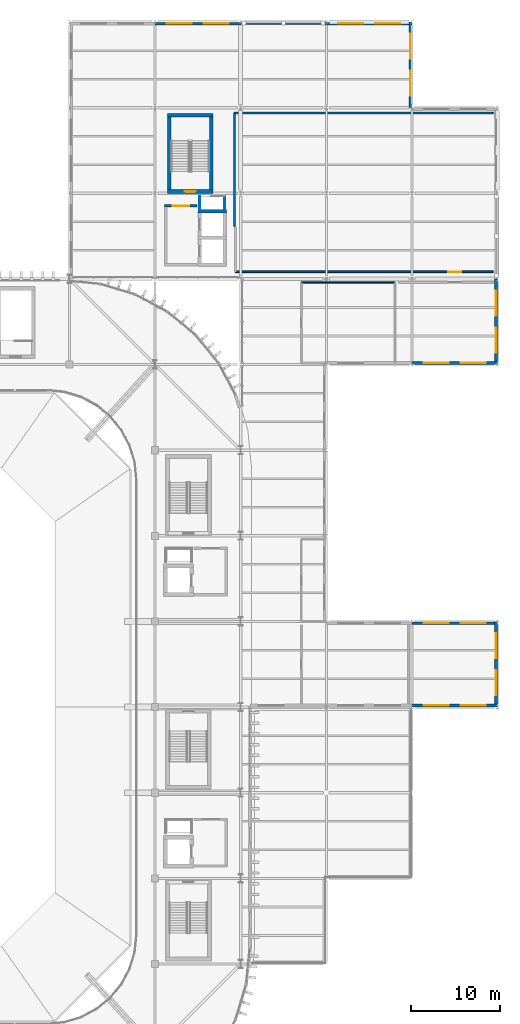
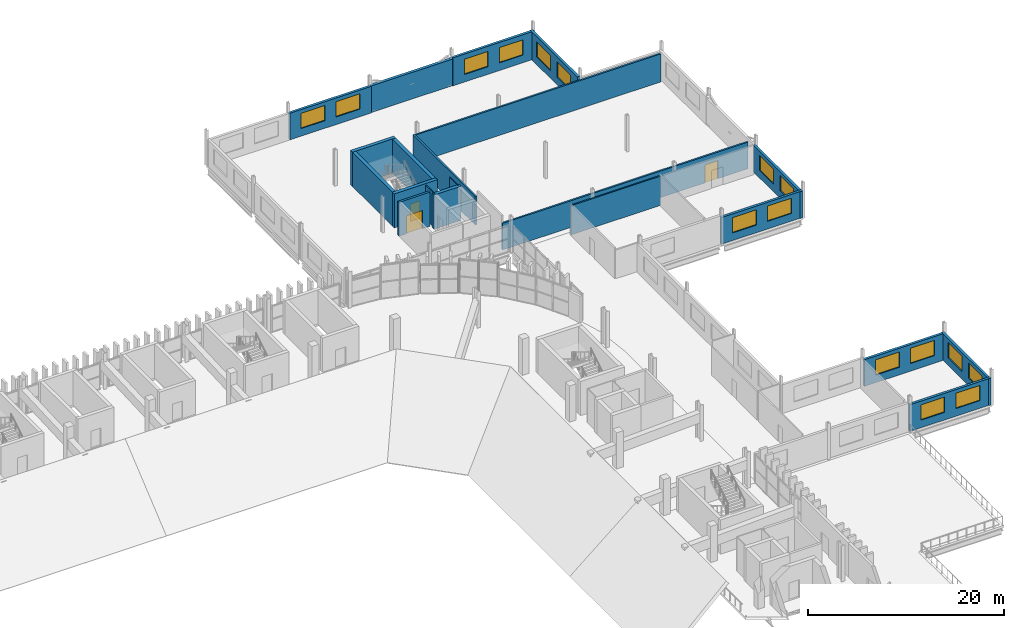
# One storey, part 46 of 69: 21 walls, 16 windows, 3 doors, 19 openings.
"""IFC4 building model written with IfcOpenShell, lengths in metres."""

from ifc_helpers import new_model, si_unit, direction, frame, frame_2d, origin, place, context, subcontext, project, spatial, rectangle, extrude, material, layer, layer_set, type_object, element, fill, save


model = new_model("IFC4")

# Units and contexts
model_context = context("Model", 3, precision=1e-05, world=origin(), true_north=direction((0.0, 1.0)))
body_context = subcontext(model_context, "Body", "Model", "MODEL_VIEW")
ifc_project = project(units=[si_unit("LENGTHUNIT", "METRE"), si_unit("AREAUNIT", "SQUARE_METRE"), si_unit("VOLUMEUNIT", "CUBIC_METRE"), si_unit("PLANEANGLEUNIT", "RADIAN"), si_unit("MASSUNIT", "GRAM", prefix="KILO")], contexts=[model_context])

# Site, building, storey
site_placement = place(None, origin())
site = spatial("IfcSite", under=ifc_project, at=site_placement, CompositionType="ELEMENT")
building_placement = place(site_placement, origin())
building = spatial("IfcBuilding", under=site, at=building_placement, Name="Caelomonte Colonnade Arena", CompositionType="ELEMENT")
storey_placement = place(building_placement, frame((0.0, 0.0, 18.60009765625)))
storey = spatial("IfcBuildingStorey", under=building, at=storey_placement, Name="L04", CompositionType="ELEMENT", Elevation=18.60009765625)

# Wall, openings, windows
ifc_material_1 = material(Name="Precast concrete C40/50", Category="concrete")
ifc_layer_1 = layer(ifc_material_1, 0.2900390625)
ifc_layer_set_1 = layer_set([ifc_layer_1], Name="Precast concrete C40/50")
wall_type_1 = type_object("IfcWallType", Name="ENV-WL-EXT29", PredefinedType="SOLIDWALL", material=ifc_layer_set_1)
wall_1_placement = place(storey_placement, frame((182.39990234375, 67.3798828125, 0.0), z_axis=(0.0, 0.0, 1.0), x_axis=(1.0, 0.0, 0.0)))
wall_1 = element("IfcWall", 1, at=wall_1_placement, inside=storey, type_object=wall_type_1, Name="L04 exterior wall EW-L04-0308", PredefinedType="SOLIDWALL", context=body_context, shape_type="SweptSolid", body=[
    extrude(rectangle(XDim=9.60009765625, YDim=0.2900390625, at=frame_2d((4.800048828125, 0.0))), origin(), (0.0, 0.0, 1.0), 3.312744140625),
])
opening_1_placement = place(wall_1_placement, frame((4.13330078125, 0.0, 0.949951171875), z_axis=(0.0, 0.0, 1.0), x_axis=(-1.0, 0.0, 0.0)))
opening_1 = element("IfcOpeningElement", 2, at=opening_1_placement, cuts=wall_1, Name="Opening WN-07", PredefinedType="OPENING", context=body_context, shape_type="SweptSolid", body=[
    extrude(rectangle(XDim=2.800048828125, YDim=1.89990234375, at=frame_2d((1.39990234375, 0.949951171875))), frame((0.0, 0.155029296875, 0.0), z_axis=(0.0, -1.0, 0.0), x_axis=(1.0, 0.0, 0.0)), (0.0, 0.0, 1.0), 0.31005859375),
])
opening_2_placement = place(wall_1_placement, frame((8.266845703125, 0.0, 0.949951171875), z_axis=(0.0, 0.0, 1.0), x_axis=(-1.0, 0.0, 0.0)))
opening_2 = element("IfcOpeningElement", 3, at=opening_2_placement, cuts=wall_1, Name="Opening WN-07", PredefinedType="OPENING", context=body_context, shape_type="SweptSolid", body=[
    extrude(rectangle(XDim=2.800048828125, YDim=1.89990234375, at=frame_2d((1.39990234375, 0.949951171875))), frame((0.0, 0.155029296875, 0.0), z_axis=(0.0, -1.0, 0.0), x_axis=(1.0, 0.0, 0.0)), (0.0, 0.0, 1.0), 0.31005859375),
])
ifc_material_2 = material(Name="Solar-control bronze low-E double glazing", Category="glass")
window_type = type_object("IfcWindowType", Name="ENV-WN-V4D", PartitioningType="DOUBLE_PANEL_VERTICAL", PredefinedType="WINDOW", material=ifc_material_2)
window_1_placement = place(opening_1_placement, origin())
window_1 = element("IfcWindow", 4, at=window_1_placement, inside=storey, type_object=window_type, Name="L04 facade window 250", OverallHeight=1.89990234375, OverallWidth=2.800048828125, PartitioningType="SINGLE_PANEL", PredefinedType="WINDOW", context=body_context, shape_type="SweptSolid", body=[
    extrude(rectangle(XDim=2.800048828125, YDim=1.89990234375, at=frame_2d((1.39990234375, 0.949951171875))), frame((0.0, 0.030029296875, 0.0), z_axis=(0.0, -1.0, 0.0), x_axis=(1.0, 0.0, 0.0)), (0.0, 0.0, 1.0), 0.06005859375),
])
fill(opening_1, window_1)
window_2_placement = place(opening_2_placement, origin())
window_2 = element("IfcWindow", 5, at=window_2_placement, inside=storey, type_object=window_type, Name="L04 facade window 251", OverallHeight=1.89990234375, OverallWidth=2.800048828125, PartitioningType="SINGLE_PANEL", PredefinedType="WINDOW", context=body_context, shape_type="SweptSolid", body=[
    extrude(rectangle(XDim=2.800048828125, YDim=1.89990234375, at=frame_2d((1.39990234375, 0.949951171875))), frame((0.0, 0.030029296875, 0.0), z_axis=(0.0, -1.0, 0.0), x_axis=(1.0, 0.0, 0.0)), (0.0, 0.0, 1.0), 0.06005859375),
])
fill(opening_2, window_2)

wall_2_placement = place(storey_placement, frame((191.820068359375, 67.199951171875, 0.0), z_axis=(0.0, 0.0, 1.0), x_axis=(0.0, 1.0, 0.0)))
wall_2 = element("IfcWall", 6, at=wall_2_placement, inside=storey, type_object=wall_type_1, Name="L04 exterior wall EW-L04-0309", PredefinedType="SOLIDWALL", context=body_context, shape_type="SweptSolid", body=[
    extrude(rectangle(XDim=9.60009765625, YDim=0.2900390625, at=frame_2d((4.800048828125, 0.0))), origin(), (0.0, 0.0, 1.0), 3.312744140625),
])
opening_3_placement = place(wall_2_placement, frame((4.13330078125, 0.0, 0.949951171875), z_axis=(0.0, 0.0, 1.0), x_axis=(-1.0, 0.0, 0.0)))
opening_3 = element("IfcOpeningElement", 7, at=opening_3_placement, cuts=wall_2, Name="Opening WN-07", PredefinedType="OPENING", context=body_context, shape_type="SweptSolid", body=[
    extrude(rectangle(XDim=2.800048828125, YDim=1.89990234375, at=frame_2d((1.39990234375, 0.949951171875))), frame((0.0, 0.155029296875, 0.0), z_axis=(0.0, -1.0, 0.0), x_axis=(1.0, 0.0, 0.0)), (0.0, 0.0, 1.0), 0.31005859375),
])
opening_4_placement = place(wall_2_placement, frame((8.266845703125, 0.0, 0.949951171875), z_axis=(0.0, 0.0, 1.0), x_axis=(-1.0, 0.0, 0.0)))
opening_4 = element("IfcOpeningElement", 8, at=opening_4_placement, cuts=wall_2, Name="Opening WN-07", PredefinedType="OPENING", context=body_context, shape_type="SweptSolid", body=[
    extrude(rectangle(XDim=2.800048828125, YDim=1.89990234375, at=frame_2d((1.39990234375, 0.949951171875))), frame((0.0, 0.155029296875, 0.0), z_axis=(0.0, -1.0, 0.0), x_axis=(1.0, 0.0, 0.0)), (0.0, 0.0, 1.0), 0.31005859375),
])
window_3_placement = place(opening_3_placement, origin())
window_3 = element("IfcWindow", 9, at=window_3_placement, inside=storey, type_object=window_type, Name="L04 facade window 252", OverallHeight=1.89990234375, OverallWidth=2.800048828125, PartitioningType="SINGLE_PANEL", PredefinedType="WINDOW", context=body_context, shape_type="SweptSolid", body=[
    extrude(rectangle(XDim=2.800048828125, YDim=1.89990234375, at=frame_2d((1.39990234375, 0.949951171875))), frame((0.0, 0.030029296875, 0.0), z_axis=(0.0, -1.0, 0.0), x_axis=(1.0, 0.0, 0.0)), (0.0, 0.0, 1.0), 0.06005859375),
])
fill(opening_3, window_3)
window_4_placement = place(opening_4_placement, origin())
window_4 = element("IfcWindow", 10, at=window_4_placement, inside=storey, type_object=window_type, Name="L04 facade window 253", OverallHeight=1.89990234375, OverallWidth=2.800048828125, PartitioningType="SINGLE_PANEL", PredefinedType="WINDOW", context=body_context, shape_type="SweptSolid", body=[
    extrude(rectangle(XDim=2.800048828125, YDim=1.89990234375, at=frame_2d((1.39990234375, 0.949951171875))), frame((0.0, 0.030029296875, 0.0), z_axis=(0.0, -1.0, 0.0), x_axis=(1.0, 0.0, 0.0)), (0.0, 0.0, 1.0), 0.06005859375),
])
fill(opening_4, window_4)

wall_3_placement = place(storey_placement, frame((192.0, 76.6201171875, 0.0), z_axis=(0.0, 0.0, 1.0), x_axis=(-1.0, 0.0, 0.0)))
wall_3 = element("IfcWall", 11, at=wall_3_placement, inside=storey, type_object=wall_type_1, Name="L04 exterior wall EW-L04-0310", PredefinedType="SOLIDWALL", context=body_context, shape_type="SweptSolid", body=[
    extrude(rectangle(XDim=9.60009765625, YDim=0.2900390625, at=frame_2d((4.800048828125, 0.0))), origin(), (0.0, 0.0, 1.0), 3.312744140625),
])
opening_5_placement = place(wall_3_placement, frame((4.13330078125, 0.0, 0.949951171875), z_axis=(0.0, 0.0, 1.0), x_axis=(-1.0, 0.0, 0.0)))
opening_5 = element("IfcOpeningElement", 12, at=opening_5_placement, cuts=wall_3, Name="Opening WN-07", PredefinedType="OPENING", context=body_context, shape_type="SweptSolid", body=[
    extrude(rectangle(XDim=2.800048828125, YDim=1.89990234375, at=frame_2d((1.39990234375, 0.949951171875))), frame((0.0, 0.155029296875, 0.0), z_axis=(0.0, -1.0, 0.0), x_axis=(1.0, 0.0, 0.0)), (0.0, 0.0, 1.0), 0.31005859375),
])
opening_6_placement = place(wall_3_placement, frame((8.266845703125, 0.0, 0.949951171875), z_axis=(0.0, 0.0, 1.0), x_axis=(-1.0, 0.0, 0.0)))
opening_6 = element("IfcOpeningElement", 13, at=opening_6_placement, cuts=wall_3, Name="Opening WN-07", PredefinedType="OPENING", context=body_context, shape_type="SweptSolid", body=[
    extrude(rectangle(XDim=2.800048828125, YDim=1.89990234375, at=frame_2d((1.39990234375, 0.949951171875))), frame((0.0, 0.155029296875, 0.0), z_axis=(0.0, -1.0, 0.0), x_axis=(1.0, 0.0, 0.0)), (0.0, 0.0, 1.0), 0.31005859375),
])
window_5_placement = place(opening_5_placement, origin())
window_5 = element("IfcWindow", 14, at=window_5_placement, inside=storey, type_object=window_type, Name="L04 facade window 254", OverallHeight=1.89990234375, OverallWidth=2.800048828125, PartitioningType="SINGLE_PANEL", PredefinedType="WINDOW", context=body_context, shape_type="SweptSolid", body=[
    extrude(rectangle(XDim=2.800048828125, YDim=1.89990234375, at=frame_2d((1.39990234375, 0.949951171875))), frame((0.0, 0.030029296875, 0.0), z_axis=(0.0, -1.0, 0.0), x_axis=(1.0, 0.0, 0.0)), (0.0, 0.0, 1.0), 0.06005859375),
])
fill(opening_5, window_5)
window_6_placement = place(opening_6_placement, origin())
window_6 = element("IfcWindow", 15, at=window_6_placement, inside=storey, type_object=window_type, Name="L04 facade window 255", OverallHeight=1.89990234375, OverallWidth=2.800048828125, PartitioningType="SINGLE_PANEL", PredefinedType="WINDOW", context=body_context, shape_type="SweptSolid", body=[
    extrude(rectangle(XDim=2.800048828125, YDim=1.89990234375, at=frame_2d((1.39990234375, 0.949951171875))), frame((0.0, 0.030029296875, 0.0), z_axis=(0.0, -1.0, 0.0), x_axis=(1.0, 0.0, 0.0)), (0.0, 0.0, 1.0), 0.06005859375),
])
fill(opening_6, window_6)

wall_4_placement = place(storey_placement, frame((182.39990234375, 105.780029296875, 0.0), z_axis=(0.0, 0.0, 1.0), x_axis=(1.0, 0.0, 0.0)))
wall_4 = element("IfcWall", 16, at=wall_4_placement, inside=storey, type_object=wall_type_1, Name="L04 exterior wall EW-L04-0316", PredefinedType="SOLIDWALL", context=body_context, shape_type="SweptSolid", body=[
    extrude(rectangle(XDim=9.60009765625, YDim=0.2900390625, at=frame_2d((4.800048828125, 0.0))), origin(), (0.0, 0.0, 1.0), 3.312744140625),
])
opening_7_placement = place(wall_4_placement, frame((4.13330078125, 0.0, 0.949951171875), z_axis=(0.0, 0.0, 1.0), x_axis=(-1.0, 0.0, 0.0)))
opening_7 = element("IfcOpeningElement", 17, at=opening_7_placement, cuts=wall_4, Name="Opening WN-07", PredefinedType="OPENING", context=body_context, shape_type="SweptSolid", body=[
    extrude(rectangle(XDim=2.800048828125, YDim=1.89990234375, at=frame_2d((1.39990234375, 0.949951171875))), frame((0.0, 0.155029296875, 0.0), z_axis=(0.0, -1.0, 0.0), x_axis=(1.0, 0.0, 0.0)), (0.0, 0.0, 1.0), 0.31005859375),
])
opening_8_placement = place(wall_4_placement, frame((8.266845703125, 0.0, 0.949951171875), z_axis=(0.0, 0.0, 1.0), x_axis=(-1.0, 0.0, 0.0)))
opening_8 = element("IfcOpeningElement", 18, at=opening_8_placement, cuts=wall_4, Name="Opening WN-07", PredefinedType="OPENING", context=body_context, shape_type="SweptSolid", body=[
    extrude(rectangle(XDim=2.800048828125, YDim=1.89990234375, at=frame_2d((1.39990234375, 0.949951171875))), frame((0.0, 0.155029296875, 0.0), z_axis=(0.0, -1.0, 0.0), x_axis=(1.0, 0.0, 0.0)), (0.0, 0.0, 1.0), 0.31005859375),
])
window_7_placement = place(opening_7_placement, origin())
window_7 = element("IfcWindow", 19, at=window_7_placement, inside=storey, type_object=window_type, Name="L04 facade window 265", OverallHeight=1.89990234375, OverallWidth=2.800048828125, PartitioningType="SINGLE_PANEL", PredefinedType="WINDOW", context=body_context, shape_type="SweptSolid", body=[
    extrude(rectangle(XDim=2.800048828125, YDim=1.89990234375, at=frame_2d((1.39990234375, 0.949951171875))), frame((0.0, 0.030029296875, 0.0), z_axis=(0.0, -1.0, 0.0), x_axis=(1.0, 0.0, 0.0)), (0.0, 0.0, 1.0), 0.06005859375),
])
fill(opening_7, window_7)
window_8_placement = place(opening_8_placement, origin())
window_8 = element("IfcWindow", 20, at=window_8_placement, inside=storey, type_object=window_type, Name="L04 facade window 266", OverallHeight=1.89990234375, OverallWidth=2.800048828125, PartitioningType="SINGLE_PANEL", PredefinedType="WINDOW", context=body_context, shape_type="SweptSolid", body=[
    extrude(rectangle(XDim=2.800048828125, YDim=1.89990234375, at=frame_2d((1.39990234375, 0.949951171875))), frame((0.0, 0.030029296875, 0.0), z_axis=(0.0, -1.0, 0.0), x_axis=(1.0, 0.0, 0.0)), (0.0, 0.0, 1.0), 0.06005859375),
])
fill(opening_8, window_8)

wall_5_placement = place(storey_placement, frame((191.820068359375, 105.60009765625, 0.0), z_axis=(0.0, 0.0, 1.0), x_axis=(0.0, 1.0, 0.0)))
wall_5 = element("IfcWall", 21, at=wall_5_placement, inside=storey, type_object=wall_type_1, Name="L04 exterior wall EW-L04-0317", PredefinedType="SOLIDWALL", context=body_context, shape_type="SweptSolid", body=[
    extrude(rectangle(XDim=9.599853515625, YDim=0.2900390625, at=frame_2d((4.7998046875, 0.0))), origin(), (0.0, 0.0, 1.0), 3.312744140625),
])
opening_9_placement = place(wall_5_placement, frame((4.13330078125, 0.0, 0.949951171875), z_axis=(0.0, 0.0, 1.0), x_axis=(-1.0, 0.0, 0.0)))
opening_9 = element("IfcOpeningElement", 22, at=opening_9_placement, cuts=wall_5, Name="Opening WN-07", PredefinedType="OPENING", context=body_context, shape_type="SweptSolid", body=[
    extrude(rectangle(XDim=2.800048828125, YDim=1.89990234375, at=frame_2d((1.39990234375, 0.949951171875))), frame((0.0, 0.155029296875, 0.0), z_axis=(0.0, -1.0, 0.0), x_axis=(1.0, 0.0, 0.0)), (0.0, 0.0, 1.0), 0.31005859375),
])
opening_10_placement = place(wall_5_placement, frame((8.266845703125, 0.0, 0.949951171875), z_axis=(0.0, 0.0, 1.0), x_axis=(-1.0, 0.0, 0.0)))
opening_10 = element("IfcOpeningElement", 23, at=opening_10_placement, cuts=wall_5, Name="Opening WN-07", PredefinedType="OPENING", context=body_context, shape_type="SweptSolid", body=[
    extrude(rectangle(XDim=2.800048828125, YDim=1.89990234375, at=frame_2d((1.39990234375, 0.949951171875))), frame((0.0, 0.155029296875, 0.0), z_axis=(0.0, -1.0, 0.0), x_axis=(1.0, 0.0, 0.0)), (0.0, 0.0, 1.0), 0.31005859375),
])
window_9_placement = place(opening_9_placement, origin())
window_9 = element("IfcWindow", 24, at=window_9_placement, inside=storey, type_object=window_type, Name="L04 facade window 267", OverallHeight=1.89990234375, OverallWidth=2.800048828125, PartitioningType="SINGLE_PANEL", PredefinedType="WINDOW", context=body_context, shape_type="SweptSolid", body=[
    extrude(rectangle(XDim=2.800048828125, YDim=1.89990234375, at=frame_2d((1.39990234375, 0.949951171875))), frame((0.0, 0.030029296875, 0.0), z_axis=(0.0, -1.0, 0.0), x_axis=(1.0, 0.0, 0.0)), (0.0, 0.0, 1.0), 0.06005859375),
])
fill(opening_9, window_9)
window_10_placement = place(opening_10_placement, origin())
window_10 = element("IfcWindow", 25, at=window_10_placement, inside=storey, type_object=window_type, Name="L04 facade window 268", OverallHeight=1.89990234375, OverallWidth=2.800048828125, PartitioningType="SINGLE_PANEL", PredefinedType="WINDOW", context=body_context, shape_type="SweptSolid", body=[
    extrude(rectangle(XDim=2.800048828125, YDim=1.89990234375, at=frame_2d((1.39990234375, 0.949951171875))), frame((0.0, 0.030029296875, 0.0), z_axis=(0.0, -1.0, 0.0), x_axis=(1.0, 0.0, 0.0)), (0.0, 0.0, 1.0), 0.06005859375),
])
fill(opening_10, window_10)

wall_6_placement = place(storey_placement, frame((182.219970703125, 134.39990234375, 0.0), z_axis=(0.0, 0.0, 1.0), x_axis=(0.0, 1.0, 0.0)))
wall_6 = element("IfcWall", 26, at=wall_6_placement, inside=storey, type_object=wall_type_1, Name="L04 exterior wall EW-L04-0321", PredefinedType="SOLIDWALL", context=body_context, shape_type="SweptSolid", body=[
    extrude(rectangle(XDim=9.60009765625, YDim=0.2900390625, at=frame_2d((4.800048828125, 0.0))), origin(), (0.0, 0.0, 1.0), 3.489990234375),
])
opening_11_placement = place(wall_6_placement, frame((4.13330078125, 0.0, 0.949951171875), z_axis=(0.0, 0.0, 1.0), x_axis=(-1.0, 0.0, 0.0)))
opening_11 = element("IfcOpeningElement", 27, at=opening_11_placement, cuts=wall_6, Name="Opening WN-07", PredefinedType="OPENING", context=body_context, shape_type="SweptSolid", body=[
    extrude(rectangle(XDim=2.800048828125, YDim=1.89990234375, at=frame_2d((1.39990234375, 0.949951171875))), frame((0.0, 0.155029296875, 0.0), z_axis=(0.0, -1.0, 0.0), x_axis=(1.0, 0.0, 0.0)), (0.0, 0.0, 1.0), 0.31005859375),
])
opening_12_placement = place(wall_6_placement, frame((8.266845703125, 0.0, 0.949951171875), z_axis=(0.0, 0.0, 1.0), x_axis=(-1.0, 0.0, 0.0)))
opening_12 = element("IfcOpeningElement", 28, at=opening_12_placement, cuts=wall_6, Name="Opening WN-07", PredefinedType="OPENING", context=body_context, shape_type="SweptSolid", body=[
    extrude(rectangle(XDim=2.800048828125, YDim=1.89990234375, at=frame_2d((1.39990234375, 0.949951171875))), frame((0.0, 0.155029296875, 0.0), z_axis=(0.0, -1.0, 0.0), x_axis=(1.0, 0.0, 0.0)), (0.0, 0.0, 1.0), 0.31005859375),
])
window_11_placement = place(opening_11_placement, origin())
window_11 = element("IfcWindow", 29, at=window_11_placement, inside=storey, type_object=window_type, Name="L04 facade window 273", OverallHeight=1.89990234375, OverallWidth=2.800048828125, PartitioningType="SINGLE_PANEL", PredefinedType="WINDOW", context=body_context, shape_type="SweptSolid", body=[
    extrude(rectangle(XDim=2.800048828125, YDim=1.89990234375, at=frame_2d((1.39990234375, 0.949951171875))), frame((0.0, 0.030029296875, 0.0), z_axis=(0.0, -1.0, 0.0), x_axis=(1.0, 0.0, 0.0)), (0.0, 0.0, 1.0), 0.06005859375),
])
fill(opening_11, window_11)
window_12_placement = place(opening_12_placement, origin())
window_12 = element("IfcWindow", 30, at=window_12_placement, inside=storey, type_object=window_type, Name="L04 facade window 274", OverallHeight=1.89990234375, OverallWidth=2.800048828125, PartitioningType="SINGLE_PANEL", PredefinedType="WINDOW", context=body_context, shape_type="SweptSolid", body=[
    extrude(rectangle(XDim=2.800048828125, YDim=1.89990234375, at=frame_2d((1.39990234375, 0.949951171875))), frame((0.0, 0.030029296875, 0.0), z_axis=(0.0, -1.0, 0.0), x_axis=(1.0, 0.0, 0.0)), (0.0, 0.0, 1.0), 0.06005859375),
])
fill(opening_12, window_12)

wall_7_placement = place(storey_placement, frame((182.39990234375, 143.820068359375, 0.0), z_axis=(0.0, 0.0, 1.0), x_axis=(-1.0, 0.0, 0.0)))
wall_7 = element("IfcWall", 31, at=wall_7_placement, inside=storey, type_object=wall_type_1, Name="L04 exterior wall EW-L04-0322", PredefinedType="SOLIDWALL", context=body_context, shape_type="SweptSolid", body=[
    extrude(rectangle(XDim=9.599853515625, YDim=0.2900390625, at=frame_2d((4.7998046875, 0.0))), origin(), (0.0, 0.0, 1.0), 3.489990234375),
])
opening_13_placement = place(wall_7_placement, frame((4.13330078125, 0.0, 0.949951171875), z_axis=(0.0, 0.0, 1.0), x_axis=(-1.0, 0.0, 0.0)))
opening_13 = element("IfcOpeningElement", 32, at=opening_13_placement, cuts=wall_7, Name="Opening WN-07", PredefinedType="OPENING", context=body_context, shape_type="SweptSolid", body=[
    extrude(rectangle(XDim=2.800048828125, YDim=1.89990234375, at=frame_2d((1.39990234375, 0.949951171875))), frame((0.0, 0.155029296875, 0.0), z_axis=(0.0, -1.0, 0.0), x_axis=(1.0, 0.0, 0.0)), (0.0, 0.0, 1.0), 0.31005859375),
])
opening_14_placement = place(wall_7_placement, frame((8.266845703125, 0.0, 0.949951171875), z_axis=(0.0, 0.0, 1.0), x_axis=(-1.0, 0.0, 0.0)))
opening_14 = element("IfcOpeningElement", 33, at=opening_14_placement, cuts=wall_7, Name="Opening WN-07", PredefinedType="OPENING", context=body_context, shape_type="SweptSolid", body=[
    extrude(rectangle(XDim=2.800048828125, YDim=1.89990234375, at=frame_2d((1.39990234375, 0.949951171875))), frame((0.0, 0.155029296875, 0.0), z_axis=(0.0, -1.0, 0.0), x_axis=(1.0, 0.0, 0.0)), (0.0, 0.0, 1.0), 0.31005859375),
])
window_13_placement = place(opening_13_placement, origin())
window_13 = element("IfcWindow", 34, at=window_13_placement, inside=storey, type_object=window_type, Name="L04 facade window 275", OverallHeight=1.89990234375, OverallWidth=2.800048828125, PartitioningType="SINGLE_PANEL", PredefinedType="WINDOW", context=body_context, shape_type="SweptSolid", body=[
    extrude(rectangle(XDim=2.800048828125, YDim=1.89990234375, at=frame_2d((1.39990234375, 0.949951171875))), frame((0.0, 0.030029296875, 0.0), z_axis=(0.0, -1.0, 0.0), x_axis=(1.0, 0.0, 0.0)), (0.0, 0.0, 1.0), 0.06005859375),
])
fill(opening_13, window_13)
window_14_placement = place(opening_14_placement, origin())
window_14 = element("IfcWindow", 35, at=window_14_placement, inside=storey, type_object=window_type, Name="L04 facade window 276", OverallHeight=1.89990234375, OverallWidth=2.800048828125, PartitioningType="SINGLE_PANEL", PredefinedType="WINDOW", context=body_context, shape_type="SweptSolid", body=[
    extrude(rectangle(XDim=2.800048828125, YDim=1.89990234375, at=frame_2d((1.39990234375, 0.949951171875))), frame((0.0, 0.030029296875, 0.0), z_axis=(0.0, -1.0, 0.0), x_axis=(1.0, 0.0, 0.0)), (0.0, 0.0, 1.0), 0.06005859375),
])
fill(opening_14, window_14)

wall_8_placement = place(storey_placement, frame((163.199951171875, 143.820068359375, 0.0), z_axis=(0.0, 0.0, 1.0), x_axis=(-1.0, 0.0, 0.0)))
wall_8 = element("IfcWall", 36, at=wall_8_placement, inside=storey, type_object=wall_type_1, Name="L04 exterior wall EW-L04-0324", PredefinedType="SOLIDWALL", context=body_context, shape_type="SweptSolid", body=[
    extrude(rectangle(XDim=9.599853515625, YDim=0.2900390625, at=frame_2d((4.7998046875, 0.0))), origin(), (0.0, 0.0, 1.0), 3.312744140625),
])
opening_15_placement = place(wall_8_placement, frame((4.13330078125, 0.0, 0.949951171875), z_axis=(0.0, 0.0, 1.0), x_axis=(-1.0, 0.0, 0.0)))
opening_15 = element("IfcOpeningElement", 37, at=opening_15_placement, cuts=wall_8, Name="Opening WN-07", PredefinedType="OPENING", context=body_context, shape_type="SweptSolid", body=[
    extrude(rectangle(XDim=2.800048828125, YDim=1.89990234375, at=frame_2d((1.39990234375, 0.949951171875))), frame((0.0, 0.155029296875, 0.0), z_axis=(0.0, -1.0, 0.0), x_axis=(1.0, 0.0, 0.0)), (0.0, 0.0, 1.0), 0.31005859375),
])
opening_16_placement = place(wall_8_placement, frame((8.266845703125, 0.0, 0.949951171875), z_axis=(0.0, 0.0, 1.0), x_axis=(-1.0, 0.0, 0.0)))
opening_16 = element("IfcOpeningElement", 38, at=opening_16_placement, cuts=wall_8, Name="Opening WN-07", PredefinedType="OPENING", context=body_context, shape_type="SweptSolid", body=[
    extrude(rectangle(XDim=2.800048828125, YDim=1.89990234375, at=frame_2d((1.39990234375, 0.949951171875))), frame((0.0, 0.155029296875, 0.0), z_axis=(0.0, -1.0, 0.0), x_axis=(1.0, 0.0, 0.0)), (0.0, 0.0, 1.0), 0.31005859375),
])
window_15_placement = place(opening_15_placement, origin())
window_15 = element("IfcWindow", 39, at=window_15_placement, inside=storey, type_object=window_type, Name="L04 facade window 277", OverallHeight=1.89990234375, OverallWidth=2.800048828125, PartitioningType="SINGLE_PANEL", PredefinedType="WINDOW", context=body_context, shape_type="SweptSolid", body=[
    extrude(rectangle(XDim=2.800048828125, YDim=1.89990234375, at=frame_2d((1.39990234375, 0.949951171875))), frame((0.0, 0.030029296875, 0.0), z_axis=(0.0, -1.0, 0.0), x_axis=(1.0, 0.0, 0.0)), (0.0, 0.0, 1.0), 0.06005859375),
])
fill(opening_15, window_15)
window_16_placement = place(opening_16_placement, origin())
window_16 = element("IfcWindow", 40, at=window_16_placement, inside=storey, type_object=window_type, Name="L04 facade window 278", OverallHeight=1.89990234375, OverallWidth=2.800048828125, PartitioningType="SINGLE_PANEL", PredefinedType="WINDOW", context=body_context, shape_type="SweptSolid", body=[
    extrude(rectangle(XDim=2.800048828125, YDim=1.89990234375, at=frame_2d((1.39990234375, 0.949951171875))), frame((0.0, 0.030029296875, 0.0), z_axis=(0.0, -1.0, 0.0), x_axis=(1.0, 0.0, 0.0)), (0.0, 0.0, 1.0), 0.06005859375),
])
fill(opening_16, window_16)

# Wall
ifc_layer_2 = layer(ifc_material_1, 0.330078125)
ifc_layer_set_2 = layer_set([ifc_layer_2], Name="Precast concrete C40/50")
wall_type_2 = type_object("IfcWallType", Name="ENV-WL-EXT33", PredefinedType="SOLIDWALL", material=ifc_layer_set_2)
wall_9_placement = place(storey_placement, frame((172.800048828125, 143.89990234375, 0.0), z_axis=(0.0, 0.0, 1.0), x_axis=(-1.0, 0.0, 0.0)))
element("IfcWall", 41, at=wall_9_placement, inside=storey, type_object=wall_type_2, Name="L04 exterior wall EW-L04-0323", PredefinedType="SOLIDWALL", context=body_context, shape_type="SweptSolid", body=[
    extrude(rectangle(XDim=9.60009765625, YDim=0.330078125, at=frame_2d((4.800048828125, 0.0))), origin(), (0.0, 0.0, 1.0), 3.312744140625),
])

# Wall, opening, door
ifc_material_3 = material(Name="Concrete C40/50", Category="concrete")
ifc_layer_3 = layer(ifc_material_3, 0.260009765625)
ifc_layer_set_3 = layer_set([ifc_layer_3], Name="Concrete C40/50")
wall_type_3 = type_object("IfcWallType", Name="INT-WL-FW26", PredefinedType="SOLIDWALL", material=ifc_layer_set_3)
wall_10_placement = place(storey_placement, frame((158.330078125, 123.39990234375, 0.0), z_axis=(0.0, 0.0, 1.0), x_axis=(-1.0, 0.0, 0.0)))
wall_10 = element("IfcWall", 42, at=wall_10_placement, inside=storey, type_object=wall_type_3, Name="FW-C6-LB L04 north enclosure wall", PredefinedType="SOLIDWALL", context=body_context, shape_type="SweptSolid", body=[
    extrude(rectangle(XDim=3.66015625, YDim=0.260009765625, at=frame_2d((1.830078125, 0.0))), origin(), (0.0, 0.0, 1.0), 4.239990234375),
])
opening_17_placement = place(wall_10_placement, frame((2.755126953125, 0.0, 0.0), z_axis=(0.0, 0.0, 1.0), x_axis=(-1.0, 0.0, 0.0)))
opening_17 = element("IfcOpeningElement", 43, at=opening_17_placement, cuts=wall_10, Name="Opening FD-2", PredefinedType="OPENING", context=body_context, shape_type="SweptSolid", body=[
    extrude(rectangle(XDim=1.85009765625, YDim=2.25, at=frame_2d((0.925048828125, 1.125))), frame((0.0, 0.139892578125, 0.0), z_axis=(0.0, -1.0, 0.0), x_axis=(1.0, 0.0, 0.0)), (0.0, 0.0, 1.0), 0.280029296875),
])
ifc_material_4 = material(Name="Fire-rated double steel door", Category="steel")
door_type_1 = type_object("IfcDoorType", Name="INT-DR-FD90B", OperationType="DOUBLE_DOOR_SINGLE_SWING", PredefinedType="DOOR", material=ifc_material_4)
door_1_placement = place(opening_17_placement, origin())
door_1 = element("IfcDoor", 44, at=door_1_placement, inside=storey, type_object=door_type_1, Name="Core C6 L04 lobby fire door", OperationType="DOUBLE_DOOR_SINGLE_SWING", OverallHeight=2.25, OverallWidth=1.85009765625, PredefinedType="DOOR", context=body_context, shape_type="SweptSolid", body=[
    extrude(rectangle(XDim=1.85009765625, YDim=2.25, at=frame_2d((0.925048828125, 1.125))), frame((0.0, 0.02490234375, 0.0), z_axis=(0.0, -1.0, 0.0), x_axis=(1.0, 0.0, 0.0)), (0.0, 0.0, 1.0), 0.050048828125),
])
fill(opening_17, door_1)

# Walls
ifc_material_5 = material(Name="Service shaft lining partition")
ifc_layer_4 = layer(ifc_material_5, 0.10009765625)
ifc_layer_set_4 = layer_set([ifc_layer_4], Name="Service shaft lining partition")
wall_type_4 = type_object("IfcWallType", Name="INT-WL-PT10", PredefinedType="PARTITIONING", material=ifc_layer_set_4)
for number, where, z_axis, x_axis, name in (
    (45, (158.60009765625, 124.550048828125, 0.0), (0.0, 0.0, 1.0), (0.0, -1.0, 0.0), "FW-C6-RS L04 west enclosure wall"),
    (46, (161.39990234375, 122.85009765625, 0.0), (0.0, 0.0, 1.0), (0.0, 1.0, 0.0), "FW-C6-RS L04 east enclosure wall"),
):
    element("IfcWall", number, at=place(storey_placement, frame(where, z_axis=z_axis, x_axis=x_axis)), inside=storey, type_object=wall_type_4, Name=name, PredefinedType="PARTITIONING", context=body_context, shape_type="SweptSolid", body=[
        extrude(rectangle(XDim=1.699951171875, YDim=0.10009765625, at=frame_2d((0.85009765625, 0.0))), origin(), (0.0, 0.0, 1.0), 4.239990234375),
    ])
ifc_material_6 = material(Name="Moisture-resistant WC partition")
ifc_layer_5 = layer(ifc_material_6, 0.159912109375)
ifc_layer_set_5 = layer_set([ifc_layer_5], Name="Moisture-resistant WC partition")
wall_type_5 = type_object("IfcWallType", Name="INT-WL-PT16", PredefinedType="PARTITIONING", material=ifc_layer_set_5)
wall_11_placement = place(storey_placement, frame((170.0, 114.800048828125, 0.0), z_axis=(0.0, 0.0, 1.0), x_axis=(1.0, 0.0, 0.0)))
element("IfcWall", 47, at=wall_11_placement, inside=storey, type_object=wall_type_5, Name="L04 Upper Concourse Accessible WC partition 249", PredefinedType="PARTITIONING", context=body_context, shape_type="SweptSolid", body=[
    extrude(rectangle(XDim=10.5, YDim=0.159912109375, at=frame_2d((5.25, 0.0))), origin(), (0.0, 0.0, 1.0), 3.637939453125),
])
ifc_material_7 = material(Name="Fire-rated gypsum stud partition")
ifc_layer_6 = layer(ifc_material_7, 0.199951171875)
ifc_layer_set_6 = layer_set([ifc_layer_6], Name="Fire-rated gypsum stud partition")
wall_type_6 = type_object("IfcWallType", Name="INT-WL-PT20", PredefinedType="PARTITIONING", material=ifc_layer_set_6)
wall_12_placement = place(storey_placement, frame((162.5, 133.800048828125, 0.0), z_axis=(0.0, 0.0, 1.0), x_axis=(1.0, 0.0, 0.0)))
element("IfcWall", 48, at=wall_12_placement, inside=storey, type_object=wall_type_6, Name="L04 Upper Courtyard Fan Lounge partition 241", PredefinedType="PARTITIONING", context=body_context, shape_type="SweptSolid", body=[
    extrude(rectangle(XDim=29.0, YDim=0.199951171875, at=frame_2d((14.5, 0.0))), origin(), (0.0, 0.0, 1.0), 3.489990234375),
])

# Wall, opening, door
wall_13_placement = place(storey_placement, frame((191.5, 116.0, 0.0), z_axis=(0.0, 0.0, 1.0), x_axis=(-1.0, 0.0, 0.0)))
wall_13 = element("IfcWall", 49, at=wall_13_placement, inside=storey, type_object=wall_type_6, Name="L04 Upper Courtyard Fan Lounge partition 242", PredefinedType="PARTITIONING", context=body_context, shape_type="SweptSolid", body=[
    extrude(rectangle(XDim=28.8798828125, YDim=0.199951171875, at=frame_2d((14.43994140625, 0.0))), origin(), (0.0, 0.0, 1.0), 3.312744140625),
])
opening_18_placement = place(wall_13_placement, frame((3.550048828125, 0.0, 0.0), z_axis=(0.0, 0.0, 1.0), x_axis=(1.0, 0.0, 0.0)))
opening_18 = element("IfcOpeningElement", 50, at=opening_18_placement, cuts=wall_13, Name="Opening D-L04-066", PredefinedType="OPENING", context=body_context, shape_type="SweptSolid", body=[
    extrude(rectangle(XDim=1.5, YDim=2.25, at=frame_2d((0.75, 1.125))), frame((0.0, 0.10986328125, 0.0), z_axis=(0.0, -1.0, 0.0), x_axis=(1.0, 0.0, 0.0)), (0.0, 0.0, 1.0), 0.219970703125),
])
ifc_material_8 = material(Name="Hardwood double club lounge door", Category="wood")
door_type_2 = type_object("IfcDoorType", Name="INT-DR-SU2", OperationType="DOUBLE_DOOR_SINGLE_SWING", PredefinedType="DOOR", material=ifc_material_8)
door_2_placement = place(opening_18_placement, origin())
door_2 = element("IfcDoor", 51, at=door_2_placement, inside=storey, type_object=door_type_2, Name="L04 Upper Courtyard Fan Lounge door D-L04-066", OperationType="DOUBLE_DOOR_SINGLE_SWING", OverallHeight=2.25, OverallWidth=1.5, PredefinedType="DOOR", context=body_context, shape_type="SweptSolid", body=[
    extrude(rectangle(XDim=1.5, YDim=2.25, at=frame_2d((0.75, 1.125))), frame((0.0, 0.02490234375, 0.0), z_axis=(0.0, -1.0, 0.0), x_axis=(1.0, 0.0, 0.0)), (0.0, 0.0, 1.0), 0.050048828125),
])
fill(opening_18, door_2)

# Wall
wall_14_placement = place(storey_placement, frame((162.5, 121.1201171875, 0.0), z_axis=(0.0, 0.0, 1.0), x_axis=(0.0, 1.0, 0.0)))
element("IfcWall", 52, at=wall_14_placement, inside=storey, type_object=wall_type_6, Name="L04 Upper Courtyard Fan Lounge partition 244", PredefinedType="PARTITIONING", context=body_context, shape_type="SweptSolid", body=[
    extrude(rectangle(XDim=12.679931640625, YDim=0.199951171875, at=frame_2d((6.33984375, 0.0))), origin(), (0.0, 0.0, 1.0), 3.561767578125),
])

# Wall, opening, door
ifc_material_9 = material(Name="Concrete C50/60", Category="concrete")
ifc_layer_7 = layer(ifc_material_9, 0.39990234375)
ifc_layer_set_7 = layer_set([ifc_layer_7], Name="Concrete C50/60")
wall_type_7 = type_object("IfcWallType", Name="INT-WL-SH40", PredefinedType="SHEAR", material=ifc_layer_set_7)
wall_15_placement = place(storey_placement, frame((155.0, 125.0, 0.0), z_axis=(0.0, 0.0, 1.0), x_axis=(1.0, 0.0, 0.0)))
wall_15 = element("IfcWall", 53, at=wall_15_placement, inside=storey, type_object=wall_type_7, Name="CW-C6-ST L04 south enclosure wall", PredefinedType="SHEAR", context=body_context, shape_type="SweptSolid", body=[
    extrude(rectangle(XDim=5.10009765625, YDim=0.39990234375, at=frame_2d((2.550048828125, 0.0))), origin(), (0.0, 0.0, 1.0), 4.239990234375),
])
opening_19_placement = place(wall_15_placement, frame((3.14990234375, 0.0, 0.0), z_axis=(0.0, 0.0, 1.0), x_axis=(-1.0, 0.0, 0.0)))
opening_19 = element("IfcOpeningElement", 54, at=opening_19_placement, cuts=wall_15, Name="Opening FD-1", PredefinedType="OPENING", context=body_context, shape_type="SweptSolid", body=[
    extrude(rectangle(XDim=1.199951171875, YDim=2.199951171875, at=frame_2d((0.60009765625, 1.10009765625))), frame((0.0, 0.2099609375, 0.0), z_axis=(0.0, -1.0, 0.0), x_axis=(1.0, 0.0, 0.0)), (0.0, 0.0, 1.0), 0.419921875),
])
ifc_material_10 = material(Name="Fire-rated steel door", Category="steel")
door_type_3 = type_object("IfcDoorType", Name="INT-DR-FD90A", OperationType="NOTDEFINED", PredefinedType="DOOR", material=ifc_material_10)
door_3_placement = place(opening_19_placement, origin())
door_3 = element("IfcDoor", 55, at=door_3_placement, inside=storey, type_object=door_type_3, Name="Core C6 L04 exit stair fire door", OperationType="SINGLE_SWING_LEFT", OverallHeight=2.199951171875, OverallWidth=1.199951171875, PredefinedType="DOOR", context=body_context, shape_type="SweptSolid", body=[
    extrude(rectangle(XDim=1.199951171875, YDim=2.199951171875, at=frame_2d((0.60009765625, 1.10009765625))), frame((0.0, 0.02490234375, 0.0), z_axis=(0.0, -1.0, 0.0), x_axis=(1.0, 0.0, 0.0)), (0.0, 0.0, 1.0), 0.050048828125),
])
fill(opening_19, door_3)

# Walls
wall_16_placement = place(storey_placement, frame((160.10009765625, 133.550048828125, 0.0), z_axis=(0.0, 0.0, 1.0), x_axis=(-1.0, 0.0, 0.0)))
element("IfcWall", 56, at=wall_16_placement, inside=storey, type_object=wall_type_7, Name="CW-C6-ST L04 north enclosure wall", PredefinedType="SHEAR", context=body_context, shape_type="SweptSolid", body=[
    extrude(rectangle(XDim=5.10009765625, YDim=0.39990234375, at=frame_2d((2.550048828125, 0.0))), origin(), (0.0, 0.0, 1.0), 4.239990234375),
])
for number, where, z_axis, x_axis, name in (
    (57, (155.199951171875, 133.35009765625, 0.0), (0.0, 0.0, 1.0), (0.0, -1.0, 0.0), "CW-C6-ST L04 west enclosure wall"),
    (58, (159.89990234375, 125.199951171875, 0.0), (0.0, 0.0, 1.0), (0.0, 1.0, 0.0), "CW-C6-ST L04 east enclosure wall"),
):
    element("IfcWall", number, at=place(storey_placement, frame(where, z_axis=z_axis, x_axis=x_axis)), inside=storey, type_object=wall_type_7, Name=name, PredefinedType="SHEAR", context=body_context, shape_type="SweptSolid", body=[
        extrude(rectangle(XDim=8.150146484375, YDim=0.39990234375, at=frame_2d((4.0751953125, 0.0))), origin(), (0.0, 0.0, 1.0), 4.239990234375),
    ])
wall_17_placement = place(storey_placement, frame((161.60009765625, 122.800048828125, 0.0), z_axis=(0.0, 0.0, 1.0), x_axis=(-1.0, 0.0, 0.0)))
element("IfcWall", 59, at=wall_17_placement, inside=storey, type_object=wall_type_7, Name="CW-C6-LF2 L04 north enclosure wall", PredefinedType="SHEAR", context=body_context, shape_type="SweptSolid", body=[
    extrude(rectangle(XDim=3.2001953125, YDim=0.39990234375, at=frame_2d((1.60009765625, 0.0))), origin(), (0.0, 0.0, 1.0), 4.239990234375),
])

save(model, "model.ifc")
